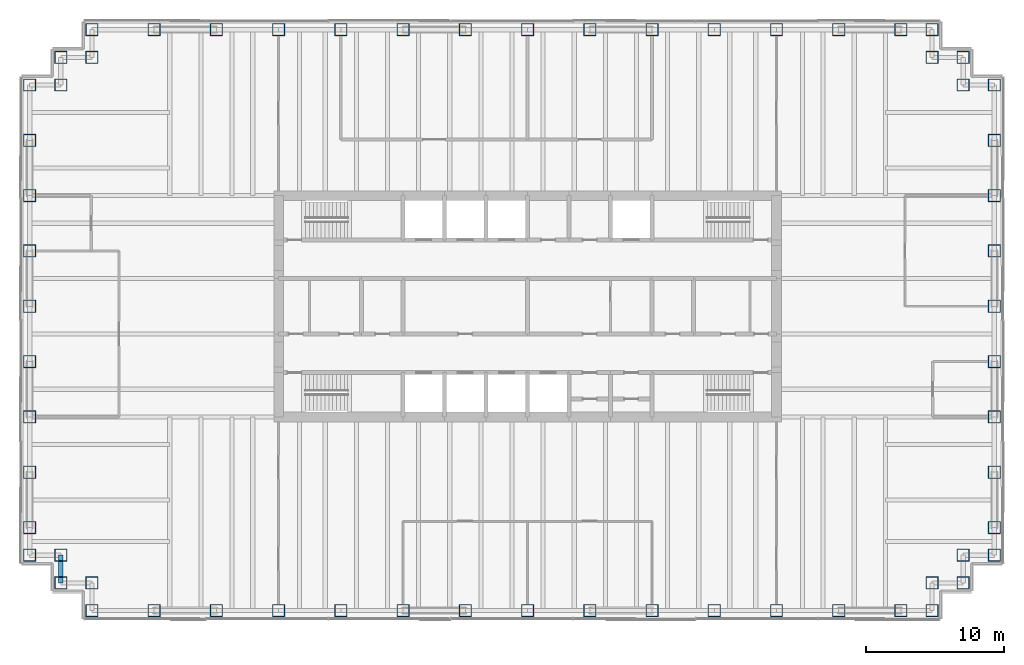
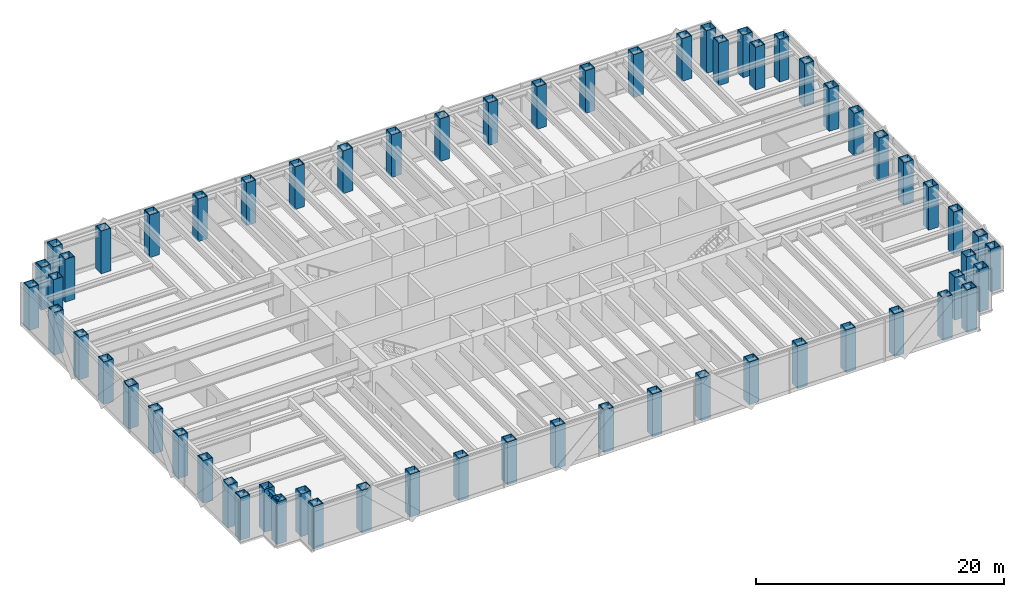
# One storey, part 1 of 15: 62 columns, 1 beam.
"""IFC4 building model written with IfcOpenShell, lengths in metres."""

from ifc_helpers import new_model, si_unit, direction, frame, origin, origin_2d, place, context, subcontext, project, spatial, hollow_rectangle, i_section, extrude, material, material_profile, profile_set, type_object, element, save


model = new_model("IFC4")

# Units and contexts
model_context = context("Model", 3, precision=1e-05, world=origin(), true_north=direction((0.0, 1.0)))
body_context = subcontext(model_context, "Body", "Model", "MODEL_VIEW")
ifc_project = project(units=[si_unit("LENGTHUNIT", "METRE"), si_unit("AREAUNIT", "SQUARE_METRE"), si_unit("VOLUMEUNIT", "CUBIC_METRE"), si_unit("PLANEANGLEUNIT", "RADIAN"), si_unit("MASSUNIT", "GRAM", prefix="KILO")], contexts=[model_context])

# Site, building, storey
site_placement = place(None, origin())
site = spatial("IfcSite", under=ifc_project, at=site_placement, CompositionType="ELEMENT")
building_placement = place(site_placement, origin())
building = spatial("IfcBuilding", under=site, at=building_placement, Name="Rheinbord Bourse Tower", CompositionType="ELEMENT")
storey_placement = place(building_placement, frame((0.0, 0.0, 325.699951171875)))
storey = spatial("IfcBuildingStorey", under=building, at=storey_placement, Name="L74", CompositionType="ELEMENT", Elevation=325.699951171875)

# Columns
ifc_material_1 = material(Name="Steel S460M", Category="steel")
ifc_material_profile_1 = material_profile(ifc_material_1, hollow_rectangle(XDim=0.89990234375, YDim=0.89990234375, WallThickness=0.050048828125, at=origin_2d()), Name="BOX 900x900x50")
ifc_profile_set_1 = profile_set([ifc_material_profile_1], Name="Steel S460M")
column_type = type_object("IfcColumnType", Name="TUBE COLUMN BOX 900x900x50", PredefinedType="COLUMN", material=ifc_profile_set_1)
for number, where, z_axis, x_axis, name in (
    (1, (4.5, 2.0, 0.0), (0.0, 0.0, 1.0), (0.0, 1.0, 0.0), "Column SW-E L74"),
    (2, (9.0, 2.0, 0.0), (0.0, 0.0, 1.0), (0.0, 1.0, 0.0), "Column S-9 L74"),
    (3, (13.5, 2.0, 0.0), (0.0, 0.0, 1.0), (0.0, 1.0, 0.0), "Column S-13.5 L74"),
    (4, (18.0, 2.0, 0.0), (0.0, 0.0, 1.0), (0.0, 1.0, 0.0), "Column S-18 L74"),
    (5, (22.5, 2.0, 0.0), (0.0, 0.0, 1.0), (0.0, 1.0, 0.0), "Column S-22.5 L74"),
    (6, (27.0, 2.0, 0.0), (0.0, 0.0, 1.0), (0.0, 1.0, 0.0), "Column S-27 L74"),
    (7, (31.5, 2.0, 0.0), (0.0, 0.0, 1.0), (0.0, 1.0, 0.0), "Column S-31.5 L74"),
    (8, (36.0, 2.0, 0.0), (0.0, 0.0, 1.0), (0.0, 1.0, 0.0), "Column S-36 L74"),
    (9, (40.5, 2.0, 0.0), (0.0, 0.0, 1.0), (0.0, 1.0, 0.0), "Column S-40.5 L74"),
    (10, (45.0, 2.0, 0.0), (0.0, 0.0, 1.0), (0.0, 1.0, 0.0), "Column S-45 L74"),
    (11, (49.5, 2.0, 0.0), (0.0, 0.0, 1.0), (0.0, 1.0, 0.0), "Column S-49.5 L74"),
    (12, (54.0, 2.0, 0.0), (0.0, 0.0, 1.0), (0.0, 1.0, 0.0), "Column S-54 L74"),
    (13, (58.5, 2.0, 0.0), (0.0, 0.0, 1.0), (0.0, 1.0, 0.0), "Column S-58.5 L74"),
    (14, (63.0, 2.0, 0.0), (0.0, 0.0, 1.0), (0.0, 1.0, 0.0), "Column S-63 L74"),
    (15, (65.25, 2.0, 0.0), (0.0, 0.0, 1.0), (0.0, 1.0, 0.0), "Column SE-E L74"),
    (16, (65.25, 4.0, 0.0), (0.0, 0.0, 1.0), (0.0, 1.0, 0.0), "Column SE-D L74"),
    (17, (67.5, 4.0, 0.0), (0.0, 0.0, 1.0), (1.0, 0.0, 0.0), "Column SE-C L74"),
    (18, (67.5, 6.0, 0.0), (0.0, 0.0, 1.0), (1.0, 0.0, 0.0), "Column SE-B L74"),
    (19, (69.75, 6.0, 0.0), (0.0, 0.0, 1.0), (1.0, 0.0, 0.0), "Column SE-A L74"),
    (20, (69.75, 8.0, 0.0), (0.0, 0.0, 1.0), (1.0, 0.0, 0.0), "Column E-8 L74"),
    (21, (69.75, 12.0, 0.0), (0.0, 0.0, 1.0), (1.0, 0.0, 0.0), "Column E-12 L74"),
    (22, (69.75, 16.0, 0.0), (0.0, 0.0, 1.0), (1.0, 0.0, 0.0), "Column E-16 L74"),
    (23, (69.75, 20.0, 0.0), (0.0, 0.0, 1.0), (1.0, 0.0, 0.0), "Column E-20 L74"),
    (24, (69.75, 24.0, 0.0), (0.0, 0.0, 1.0), (1.0, 0.0, 0.0), "Column E-24 L74"),
    (25, (69.75, 28.0, 0.0), (0.0, 0.0, 1.0), (1.0, 0.0, 0.0), "Column E-28 L74"),
    (26, (69.75, 32.0, 0.0), (0.0, 0.0, 1.0), (1.0, 0.0, 0.0), "Column E-32 L74"),
    (27, (69.75, 36.0, 0.0), (0.0, 0.0, 1.0), (1.0, 0.0, 0.0), "Column E-36 L74"),
    (28, (69.75, 40.0, 0.0), (0.0, 0.0, 1.0), (1.0, 0.0, 0.0), "Column NE-A L74"),
    (29, (67.5, 40.0, 0.0), (0.0, 0.0, 1.0), (1.0, 0.0, 0.0), "Column NE-B L74"),
    (30, (67.5, 42.0, 0.0), (0.0, 0.0, 1.0), (1.0, 0.0, 0.0), "Column NE-C L74"),
    (31, (65.25, 42.0, 0.0), (0.0, 0.0, 1.0), (0.0, 1.0, 0.0), "Column NE-D L74"),
    (32, (65.25, 44.0, 0.0), (0.0, 0.0, 1.0), (0.0, 1.0, 0.0), "Column NE-E L74"),
    (33, (63.0, 44.0, 0.0), (0.0, 0.0, 1.0), (0.0, 1.0, 0.0), "Column N-63 L74"),
    (34, (58.5, 44.0, 0.0), (0.0, 0.0, 1.0), (0.0, 1.0, 0.0), "Column N-58.5 L74"),
    (35, (54.0, 44.0, 0.0), (0.0, 0.0, 1.0), (0.0, 1.0, 0.0), "Column N-54 L74"),
    (36, (49.5, 44.0, 0.0), (0.0, 0.0, 1.0), (0.0, 1.0, 0.0), "Column N-49.5 L74"),
    (37, (45.0, 44.0, 0.0), (0.0, 0.0, 1.0), (0.0, 1.0, 0.0), "Column N-45 L74"),
    (38, (40.5, 44.0, 0.0), (0.0, 0.0, 1.0), (0.0, 1.0, 0.0), "Column N-40.5 L74"),
    (39, (36.0, 44.0, 0.0), (0.0, 0.0, 1.0), (0.0, 1.0, 0.0), "Column N-36 L74"),
    (40, (31.5, 44.0, 0.0), (0.0, 0.0, 1.0), (0.0, 1.0, 0.0), "Column N-31.5 L74"),
    (41, (27.0, 44.0, 0.0), (0.0, 0.0, 1.0), (0.0, 1.0, 0.0), "Column N-27 L74"),
    (42, (22.5, 44.0, 0.0), (0.0, 0.0, 1.0), (0.0, 1.0, 0.0), "Column N-22.5 L74"),
    (43, (18.0, 44.0, 0.0), (0.0, 0.0, 1.0), (0.0, 1.0, 0.0), "Column N-18 L74"),
    (44, (13.5, 44.0, 0.0), (0.0, 0.0, 1.0), (0.0, 1.0, 0.0), "Column N-13.5 L74"),
    (45, (9.0, 44.0, 0.0), (0.0, 0.0, 1.0), (0.0, 1.0, 0.0), "Column N-9 L74"),
    (46, (4.5, 44.0, 0.0), (0.0, 0.0, 1.0), (0.0, 1.0, 0.0), "Column NW-E L74"),
    (47, (4.5, 42.0, 0.0), (0.0, 0.0, 1.0), (0.0, 1.0, 0.0), "Column NW-D L74"),
    (48, (2.25, 42.0, 0.0), (0.0, 0.0, 1.0), (1.0, 0.0, 0.0), "Column NW-C L74"),
    (49, (2.25, 40.0, 0.0), (0.0, 0.0, 1.0), (1.0, 0.0, 0.0), "Column NW-B L74"),
    (50, (0.0, 40.0, 0.0), (0.0, 0.0, 1.0), (1.0, 0.0, 0.0), "Column NW-A L74"),
    (51, (0.0, 36.0, 0.0), (0.0, 0.0, 1.0), (1.0, 0.0, 0.0), "Column W-36 L74"),
    (52, (0.0, 32.0, 0.0), (0.0, 0.0, 1.0), (1.0, 0.0, 0.0), "Column W-32 L74"),
    (53, (0.0, 28.0, 0.0), (0.0, 0.0, 1.0), (1.0, 0.0, 0.0), "Column W-28 L74"),
    (54, (0.0, 24.0, 0.0), (0.0, 0.0, 1.0), (1.0, 0.0, 0.0), "Column W-24 L74"),
    (55, (0.0, 20.0, 0.0), (0.0, 0.0, 1.0), (1.0, 0.0, 0.0), "Column W-20 L74"),
    (56, (0.0, 16.0, 0.0), (0.0, 0.0, 1.0), (1.0, 0.0, 0.0), "Column W-16 L74"),
    (57, (0.0, 12.0, 0.0), (0.0, 0.0, 1.0), (1.0, 0.0, 0.0), "Column W-12 L74"),
    (58, (0.0, 8.0, 0.0), (0.0, 0.0, 1.0), (1.0, 0.0, 0.0), "Column W-8 L74"),
    (59, (0.0, 6.0, 0.0), (0.0, 0.0, 1.0), (1.0, 0.0, 0.0), "Column SW-A L74"),
    (60, (2.25, 6.0, 0.0), (0.0, 0.0, 1.0), (1.0, 0.0, 0.0), "Column SW-B L74"),
    (61, (2.25, 4.0, 0.0), (0.0, 0.0, 1.0), (1.0, 0.0, 0.0), "Column SW-C L74"),
    (62, (4.5, 4.0, 0.0), (0.0, 0.0, 1.0), (0.0, 1.0, 0.0), "Column SW-D L74"),
):
    element("IfcColumn", number, at=place(storey_placement, frame(where, z_axis=z_axis, x_axis=x_axis)), inside=storey, type_object=column_type, Name=name, PredefinedType="COLUMN", context=body_context, shape_type="SweptSolid", body=[
        extrude(hollow_rectangle(XDim=0.89990234375, YDim=0.89990234375, WallThickness=0.050048828125, at=origin_2d()), origin(), (0.0, 0.0, 1.0), 4.199951171875),
    ])

# Beam
ifc_material_2 = material(Name="Steel S460", Category="steel")
ifc_material_profile_2 = material_profile(ifc_material_2, i_section(OverallWidth=0.300048828125, OverallDepth=0.550048828125, WebThickness=0.014892578125, FlangeThickness=0.029052734375, at=origin_2d()), Name="HEB 550")
ifc_profile_set_2 = profile_set([ifc_material_profile_2], Name="Steel S460")
beam_type = type_object("IfcBeamType", Name="SPANDREL HEB 550", PredefinedType="SPANDREL", material=ifc_profile_set_2)
beam_placement = place(storey_placement, frame((2.25, 6.0, 3.76513671875), z_axis=(0.0, -1.0, 0.0), x_axis=(1.0, 0.0, 0.0)))
element("IfcBeam", 63, at=beam_placement, inside=storey, type_object=beam_type, Name="Spandrel SW-B-SW-C under L75", PredefinedType="SPANDREL", context=body_context, shape_type="SweptSolid", body=[
    extrude(i_section(OverallWidth=0.300048828125, OverallDepth=0.550048828125, WebThickness=0.014892578125, FlangeThickness=0.029052734375, at=origin_2d()), origin(), (0.0, 0.0, 1.0), 2.0),
])

save(model, "model.ifc")
